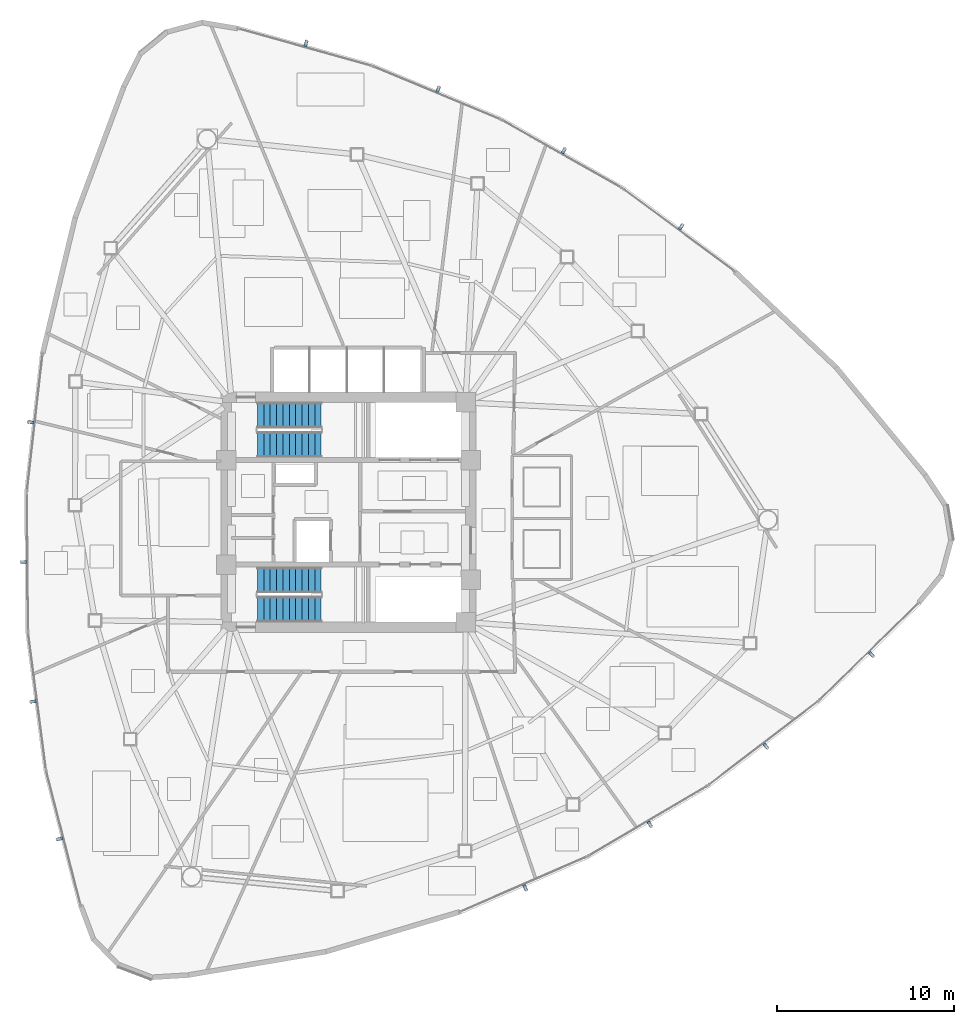
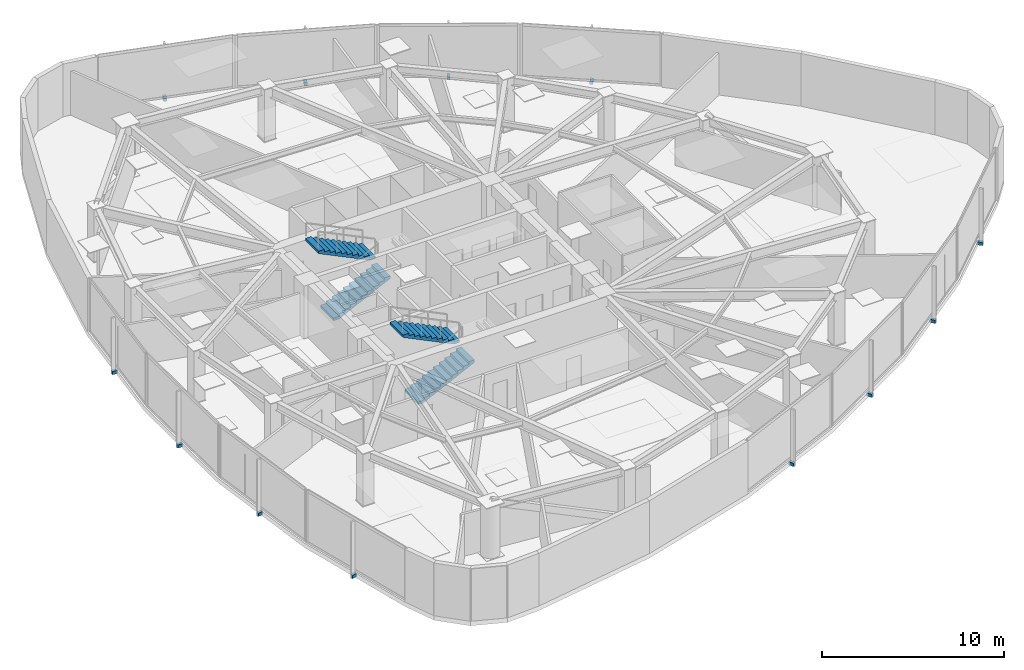
# One storey, part 14 of 18: 12 discrete accessories, 4 stair flights, 2 elements without a shape of their own.
"""IFC4 building model written with IfcOpenShell, lengths in metres."""

from ifc_helpers import new_model, si_unit, direction, frame, origin, origin_2d, place, context, subcontext, project, spatial, polyline, rectangle, outline, extrude, source, transform, mapped, material, type_object, type_shapes, element, aggregate, save


model = new_model("IFC4")

# Units and contexts
model_context = context("Model", 3, precision=1e-05, world=origin(), true_north=direction((0.0, 1.0)))
body_context = subcontext(model_context, "Body", "Model", "MODEL_VIEW")
ifc_project = project(units=[si_unit("LENGTHUNIT", "METRE"), si_unit("AREAUNIT", "SQUARE_METRE"), si_unit("VOLUMEUNIT", "CUBIC_METRE"), si_unit("PLANEANGLEUNIT", "RADIAN"), si_unit("MASSUNIT", "GRAM", prefix="KILO")], contexts=[model_context])

# Site, building, storey
site_placement = place(None, origin())
site = spatial("IfcSite", under=ifc_project, at=site_placement, CompositionType="ELEMENT")
building_placement = place(site_placement, origin())
building = spatial("IfcBuilding", under=site, at=building_placement, Name="Tavelor Broadcast Tower", CompositionType="ELEMENT")
storey_placement = place(building_placement, frame((0.0, 0.0, 146.39990234375)))
storey = spatial("IfcBuildingStorey", under=building, at=storey_placement, Name="L34", CompositionType="ELEMENT", Elevation=146.39990234375)

# Stair, stair flights
ifc_material_1 = material(Name="Concrete C40/50", Category="concrete")
stair_type = type_object("IfcStairType", Name="Reinforced Concrete Protected Dogleg Stair 1450 mm", PredefinedType="HALF_TURN_STAIR", material=ifc_material_1)
stair_1_placement = place(storey_placement, origin())
stair_1 = element("IfcStair", 1, at=stair_1_placement, inside=storey, type_object=stair_type, Name="L34 Protected Core Exit Stair ST1", PredefinedType="HALF_TURN_STAIR")
stair_flight_type = type_object("IfcStairFlightType", Name="Reinforced Concrete Stair Flight 1450 mm", PredefinedType="STRAIGHT", material=ifc_material_1)
stair_flight_1_placement = place(storey_placement, frame((44.85009765625, 48.824951171875, 0.0), z_axis=(0.0, 0.0, 1.0), x_axis=(1.0, 0.0, 0.0)))
stair_flight_1 = element("IfcStairFlight", 2, at=stair_flight_1_placement, type_object=stair_flight_type, Name="ST1 flight 1", NumberOfRisers=11, NumberOfTreads=10, PredefinedType="STRAIGHT", RiserHeight=0.175, TreadLength=0.36, context=body_context, shape_type="SweptSolid", body=[
    extrude(outline(polyline([(0.0, 0.0), (0.0, 0.175048828125), (0.360107421875, 0.175048828125), (0.360107421875, 0.35009765625), (0.719970703125, 0.35009765625), (0.719970703125, 0.52490234375), (1.080078125, 0.52490234375), (1.080078125, 0.699951171875), (1.43994140625, 0.699951171875), (1.43994140625, 0.875), (1.800048828125, 0.875), (1.800048828125, 1.050048828125), (2.159912109375, 1.050048828125), (2.159912109375, 1.22509765625), (2.52001953125, 1.22509765625), (2.52001953125, 1.39990234375), (2.8798828125, 1.39990234375), (2.8798828125, 1.574951171875), (3.239990234375, 1.574951171875), (3.239990234375, 1.75), (3.60009765625, 1.75), (3.60009765625, 1.925048828125), (3.60009765625, 1.583251953125), (0.3427734375, 0.0), (0.0, 0.0)])), frame((0.0, 0.72509765625, 0.0), z_axis=(0.0, -1.0, 0.0), x_axis=(1.0, 0.0, 0.0)), (0.0, 0.0, 1.0), 1.449951171875),
])
stair_flight_2_placement = place(storey_placement, frame((48.449951171875, 50.47509765625, 1.925048828125), z_axis=(0.0, 0.0, 1.0), x_axis=(-1.0, 0.0, 0.0)))
stair_flight_2 = element("IfcStairFlight", 3, at=stair_flight_2_placement, type_object=stair_flight_type, Name="ST1 flight 2", NumberOfRisers=11, NumberOfTreads=10, PredefinedType="STRAIGHT", RiserHeight=0.175, TreadLength=0.36, context=body_context, shape_type="SweptSolid", body=[
    extrude(outline(polyline([(0.0, 0.0), (0.0, 0.175048828125), (0.360107421875, 0.175048828125), (0.360107421875, 0.35009765625), (0.719970703125, 0.35009765625), (0.719970703125, 0.52490234375), (1.080078125, 0.52490234375), (1.080078125, 0.699951171875), (1.43994140625, 0.699951171875), (1.43994140625, 0.875), (1.800048828125, 0.875), (1.800048828125, 1.050048828125), (2.159912109375, 1.050048828125), (2.159912109375, 1.22509765625), (2.52001953125, 1.22509765625), (2.52001953125, 1.39990234375), (2.8798828125, 1.39990234375), (2.8798828125, 1.574951171875), (3.239990234375, 1.574951171875), (3.239990234375, 1.75), (3.60009765625, 1.75), (3.60009765625, 1.925048828125), (3.60009765625, 1.583251953125), (0.3427734375, 0.0), (0.0, 0.0)])), frame((0.0, 0.72509765625, 0.0), z_axis=(0.0, -1.0, 0.0), x_axis=(1.0, 0.0, 0.0)), (0.0, 0.0, 1.0), 1.449951171875),
])
aggregate(stair_1, [stair_flight_1, stair_flight_2])

stair_2_placement = place(storey_placement, origin())
stair_2 = element("IfcStair", 4, at=stair_2_placement, inside=storey, type_object=stair_type, Name="L34 Protected Core Exit Stair ST2", PredefinedType="HALF_TURN_STAIR")
stair_flight_3_placement = place(storey_placement, frame((44.85009765625, 39.52490234375, 0.0), z_axis=(0.0, 0.0, 1.0), x_axis=(1.0, 0.0, 0.0)))
stair_flight_3 = element("IfcStairFlight", 5, at=stair_flight_3_placement, type_object=stair_flight_type, Name="ST2 flight 1", NumberOfRisers=11, NumberOfTreads=10, PredefinedType="STRAIGHT", RiserHeight=0.175, TreadLength=0.36, context=body_context, shape_type="SweptSolid", body=[
    extrude(outline(polyline([(0.0, 0.0), (0.0, 0.175048828125), (0.360107421875, 0.175048828125), (0.360107421875, 0.35009765625), (0.719970703125, 0.35009765625), (0.719970703125, 0.52490234375), (1.080078125, 0.52490234375), (1.080078125, 0.699951171875), (1.43994140625, 0.699951171875), (1.43994140625, 0.875), (1.800048828125, 0.875), (1.800048828125, 1.050048828125), (2.159912109375, 1.050048828125), (2.159912109375, 1.22509765625), (2.52001953125, 1.22509765625), (2.52001953125, 1.39990234375), (2.8798828125, 1.39990234375), (2.8798828125, 1.574951171875), (3.239990234375, 1.574951171875), (3.239990234375, 1.75), (3.60009765625, 1.75), (3.60009765625, 1.925048828125), (3.60009765625, 1.583251953125), (0.3427734375, 0.0), (0.0, 0.0)])), frame((0.0, 0.72509765625, 0.0), z_axis=(0.0, -1.0, 0.0), x_axis=(1.0, 0.0, 0.0)), (0.0, 0.0, 1.0), 1.449951171875),
])
stair_flight_4_placement = place(storey_placement, frame((48.449951171875, 41.175048828125, 1.925048828125), z_axis=(0.0, 0.0, 1.0), x_axis=(-1.0, 0.0, 0.0)))
stair_flight_4 = element("IfcStairFlight", 6, at=stair_flight_4_placement, type_object=stair_flight_type, Name="ST2 flight 2", NumberOfRisers=11, NumberOfTreads=10, PredefinedType="STRAIGHT", RiserHeight=0.175, TreadLength=0.36, context=body_context, shape_type="SweptSolid", body=[
    extrude(outline(polyline([(0.0, 0.0), (0.0, 0.175048828125), (0.360107421875, 0.175048828125), (0.360107421875, 0.35009765625), (0.719970703125, 0.35009765625), (0.719970703125, 0.52490234375), (1.080078125, 0.52490234375), (1.080078125, 0.699951171875), (1.43994140625, 0.699951171875), (1.43994140625, 0.875), (1.800048828125, 0.875), (1.800048828125, 1.050048828125), (2.159912109375, 1.050048828125), (2.159912109375, 1.22509765625), (2.52001953125, 1.22509765625), (2.52001953125, 1.39990234375), (2.8798828125, 1.39990234375), (2.8798828125, 1.574951171875), (3.239990234375, 1.574951171875), (3.239990234375, 1.75), (3.60009765625, 1.75), (3.60009765625, 1.925048828125), (3.60009765625, 1.583251953125), (0.3427734375, 0.0), (0.0, 0.0)])), frame((0.0, 0.72509765625, 0.0), z_axis=(0.0, -1.0, 0.0), x_axis=(1.0, 0.0, 0.0)), (0.0, 0.0, 1.0), 1.449951171875),
])
aggregate(stair_2, [stair_flight_3, stair_flight_4])

# Discrete accessories
ifc_material_2 = material(Name="Steel S355", Category="steel")
discrete_accessory_type = type_object("IfcDiscreteAccessoryType", Name="Stainless Baguette Outrigger Support Bracket 260x180", PredefinedType="BRACKET", material=ifc_material_2)
shared_shape = source(origin(), body_context, "Body", "SweptSolid", [
    extrude(rectangle(XDim=0.179931640625, YDim=0.340087890625, at=origin_2d()), origin(), (0.0, 0.0, 1.0), 0.216064453125),
])
type_shapes(discrete_accessory_type, [shared_shape])
for number, where, z_axis, x_axis, name in (
    (7, (32.059814453125, 50.0830078125, -0.2578125), (0.0, 0.0, 1.0), (-0.112856384873, -0.99361131052, 0.0), "L34 Baguette Outrigger Bracket 337"),
    (8, (31.646484375, 42.1962890625, -0.2578125), (0.0, 0.0, 1.0), (0.008377482415, -0.999964908278, 0.0), "L34 Baguette Outrigger Bracket 338"),
    (9, (32.190673828125, 34.317626953125, -0.2578125), (0.0, 0.0, 1.0), (0.129314816705, -0.991603589233, 0.0), "L34 Baguette Outrigger Bracket 339"),
    (10, (33.68408203125, 26.5625, -0.2578125), (0.0, 0.0, 1.0), (0.248351772716, -0.968669911264, 0.0), "L34 Baguette Outrigger Bracket 340"),
    (11, (59.968017578125, 23.80419921875, -0.2578125), (0.0, 0.0, 1.0), (0.916920828835, 0.39906915898, 0.0), "L34 Baguette Outrigger Bracket 341"),
    (12, (67.0048828125, 27.3896484375, -0.2578125), (0.0, 0.0, 1.0), (0.861806272255, 0.50723756673, 0.0), "L34 Baguette Outrigger Bracket 342"),
    (13, (73.555908203125, 31.800048828125, -0.2578125), (0.0, 0.0, 1.0), (0.794096490407, 0.607791710969, 0.0), "L34 Baguette Outrigger Bracket 343"),
    (14, (79.525146484375, 36.970947265625, -0.2578125), (0.0, 0.0, 1.0), (0.714716864679, 0.699413899879, 0.0), "L34 Baguette Outrigger Bracket 344"),
    (15, (68.772216796875, 61.11279296875, -0.2578125), (0.0, 0.0, 1.0), (-0.804064443961, 0.59454215154, 0.0), "L34 Baguette Outrigger Bracket 345"),
    (16, (62.148681640625, 65.4140625, -0.2578125), (0.0, 0.0, 1.0), (-0.87018375467, 0.492727341548, 0.0), "L34 Baguette Outrigger Bracket 346"),
    (17, (55.053466796875, 68.88232421875, -0.2578125), (0.0, 0.0, 1.0), (-0.923411307113, 0.383811878264, 0.0), "L34 Baguette Outrigger Bracket 347"),
    (18, (47.5908203125, 71.46630859375, -0.2578125), (0.0, 0.0, 1.0), (-0.963068637394, 0.269256011385, 0.0), "L34 Baguette Outrigger Bracket 348"),
):
    element("IfcDiscreteAccessory", number, at=place(storey_placement, frame(where, z_axis=z_axis, x_axis=x_axis)), inside=storey, type_object=discrete_accessory_type, Name=name, PredefinedType="BRACKET", context=body_context, shape_type="MappedRepresentation", body=[
        mapped(shared_shape, transform((0.0, 0.0, 0.0), scale=1.0)),
    ])

save(model, "model.ifc")
